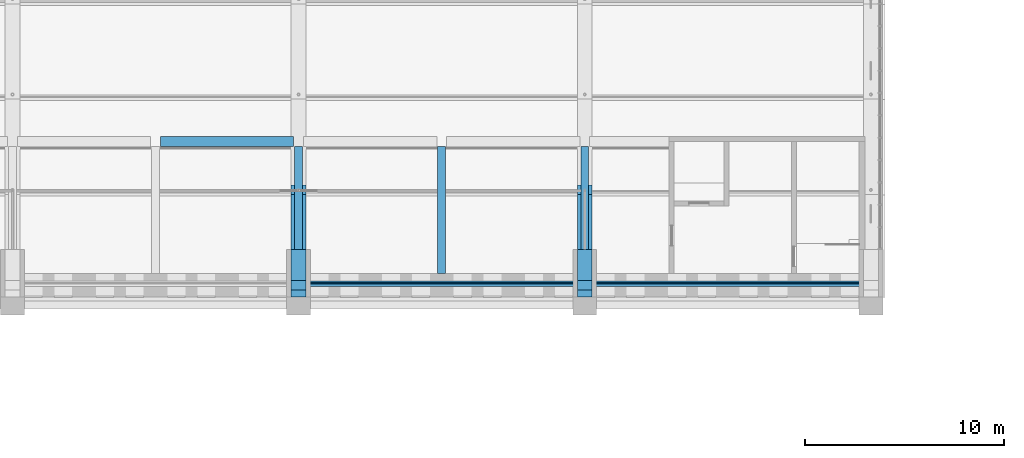
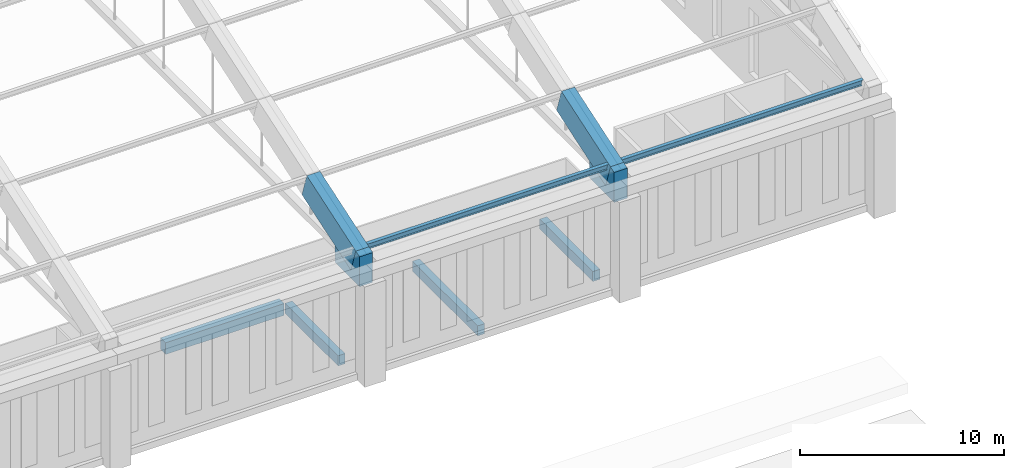
# One storey, part 21 of 149: 6 beams, 4 members.
"""IFC4 building model written with IfcOpenShell, lengths in metres."""

from ifc_helpers import new_model, si_unit, direction, frame, origin, origin_2d, place, context, subcontext, project, spatial, polyline, rectangle, i_section, outline, extrude, material, material_profile, profile_set, type_object, element, save


model = new_model("IFC4")

# Units and contexts
model_context = context("Model", 3, precision=1e-05, world=origin(), true_north=direction((0.0, 1.0)))
body_context = subcontext(model_context, "Body", "Model", "MODEL_VIEW")
ifc_project = project(units=[si_unit("LENGTHUNIT", "METRE"), si_unit("AREAUNIT", "SQUARE_METRE"), si_unit("VOLUMEUNIT", "CUBIC_METRE"), si_unit("PLANEANGLEUNIT", "RADIAN"), si_unit("MASSUNIT", "GRAM", prefix="KILO")], contexts=[model_context])

# Site, building, storey
site_placement = place(None, origin())
site = spatial("IfcSite", under=ifc_project, at=site_placement, CompositionType="ELEMENT")
building_placement = place(site_placement, origin())
building = spatial("IfcBuilding", under=site, at=building_placement, Name="Alderwick Market Hall", CompositionType="ELEMENT")
storey_placement = place(building_placement, frame((0.0, 0.0, 9.60009765625)))
storey = spatial("IfcBuildingStorey", under=building, at=storey_placement, Name="L01", CompositionType="ELEMENT", Elevation=9.60009765625)

# Beams
ifc_material_1 = material(Name="Concrete 5000 psi (f'c 35 MPa)", Category="concrete")
ifc_material_profile_1 = material_profile(ifc_material_1, rectangle(XDim=0.5, YDim=0.699951171875, at=origin_2d()), Name="RC 500x700")
ifc_profile_set_1 = profile_set([ifc_material_profile_1], Name="Concrete 5000 psi (f'c 35 MPa)")
beam_type_1 = type_object("IfcBeamType", Name="H Edge beam 500x700", PredefinedType="BEAM", material=ifc_profile_set_1)
beam_1_placement = place(storey_placement, frame((115.449951171875, 57.639892578125, -0.60009765625), z_axis=(1.0, 0.0, 0.0), x_axis=(0.0, 1.0, 0.0)))
element("IfcBeam", 1, at=beam_1_placement, inside=storey, type_object=beam_type_1, Name="Gallery edge beam S", PredefinedType="BEAM", context=body_context, shape_type="SweptSolid", body=[
    extrude(rectangle(XDim=0.5, YDim=0.699951171875, at=origin_2d()), origin(), (0.0, 0.0, 1.0), 6.699951171875),
])
ifc_material_profile_2 = material_profile(ifc_material_1, rectangle(XDim=0.39990234375, YDim=0.60009765625, at=origin_2d()), Name="RC 400x600")
ifc_profile_set_2 = profile_set([ifc_material_profile_2], Name="Concrete 5000 psi (f'c 35 MPa)")
beam_type_2 = type_object("IfcBeamType", Name="H Gallery beam 400x600", PredefinedType="BEAM", material=ifc_profile_set_2)
beam_2_placement = place(storey_placement, frame((122.39990234375, 52.199951171875, -0.550048828125), z_axis=(0.0, 1.0, 0.0), x_axis=(-1.0, 0.0, 0.0)))
element("IfcBeam", 2, at=beam_2_placement, inside=storey, type_object=beam_type_2, Name="Gallery beam S", PredefinedType="BEAM", context=body_context, shape_type="SweptSolid", body=[
    extrude(rectangle(XDim=0.39990234375, YDim=0.60009765625, at=origin_2d()), origin(), (0.0, 0.0, 1.0), 5.18994140625),
])
beam_3_placement = place(storey_placement, frame((129.60009765625, 51.0, -0.550048828125), z_axis=(0.0, 1.0, 0.0), x_axis=(-1.0, 0.0, 0.0)))
element("IfcBeam", 3, at=beam_3_placement, inside=storey, type_object=beam_type_2, Name="Gallery beam S", PredefinedType="BEAM", context=body_context, shape_type="SweptSolid", body=[
    extrude(rectangle(XDim=0.39990234375, YDim=0.60009765625, at=origin_2d()), origin(), (0.0, 0.0, 1.0), 6.389892578125),
])
beam_4_placement = place(storey_placement, frame((136.800048828125, 52.199951171875, -0.550048828125), z_axis=(0.0, 1.0, 0.0), x_axis=(-1.0, 0.0, 0.0)))
element("IfcBeam", 4, at=beam_4_placement, inside=storey, type_object=beam_type_2, Name="Gallery beam S", PredefinedType="BEAM", context=body_context, shape_type="SweptSolid", body=[
    extrude(rectangle(XDim=0.39990234375, YDim=0.60009765625, at=origin_2d()), origin(), (0.0, 0.0, 1.0), 5.18994140625),
])
ifc_material_profile_3 = material_profile(ifc_material_1, rectangle(XDim=0.75, YDim=1.5, at=origin_2d()), Name="RC 750x1500")
ifc_profile_set_3 = profile_set([ifc_material_profile_3], Name="Concrete 5000 psi (f'c 35 MPa)")
beam_type_3 = type_object("IfcBeamType", Name="R Arch Rib Springing 750x1500", PredefinedType="BEAM", material=ifc_profile_set_3)
for number, where, z_axis, x_axis, name in (
    (5, (122.39990234375, 50.39990234375, 6.599853515625), (0.0, 0.948678472761, 0.316242241517), (-1.0, 0.0, 0.0), "Arch rib 6 chord 1"),
    (6, (136.800048828125, 50.39990234375, 6.599853515625), (0.0, 0.948678472761, 0.316242241517), (-1.0, 0.0, 0.0), "Arch rib 7 chord 1"),
):
    element("IfcBeam", number, at=place(storey_placement, frame(where, z_axis=z_axis, x_axis=x_axis)), inside=storey, type_object=beam_type_3, Name=name, PredefinedType="BEAM", context=body_context, shape_type="SweptSolid", body=[
        extrude(rectangle(XDim=0.75, YDim=1.5, at=origin_2d()), origin(), (0.0, 0.0, 1.0), 5.059814453125),
    ])

# Members
ifc_material_2 = material(Name="Steel ASTM A992 Grade 50", Category="steel")
ifc_material_profile_4 = material_profile(ifc_material_2, i_section(OverallWidth=0.153076171875, OverallDepth=0.455078125, WebThickness=0.008056640625, FlangeThickness=0.01318359375, at=origin_2d()), Name="W18x40")
ifc_profile_set_4 = profile_set([ifc_material_profile_4], Name="Steel ASTM A992 Grade 50")
member_type_1 = type_object("IfcMemberType", Name="R Purlin W18x40", PredefinedType="PURLIN", material=ifc_profile_set_4)
member_1_placement = place(storey_placement, frame((122.77490234375, 50.473876953125, 7.1689453125), z_axis=(1.0, 0.0, 0.0), x_axis=(0.0, 0.948683297073, 0.316227768949)))
element("IfcMember", 7, at=member_1_placement, inside=storey, type_object=member_type_1, Name="Roof purlin 1.6", PredefinedType="PURLIN", context=body_context, shape_type="SweptSolid", body=[
    extrude(i_section(OverallWidth=0.153076171875, OverallDepth=0.455078125, WebThickness=0.008056640625, FlangeThickness=0.01318359375, at=origin_2d()), origin(), (0.0, 0.0, 1.0), 13.650146484375),
])
member_2_placement = place(storey_placement, frame((137.175048828125, 50.473876953125, 7.1689453125), z_axis=(1.0, 0.0, 0.0), x_axis=(0.0, 0.948683297073, 0.316227768949)))
element("IfcMember", 8, at=member_2_placement, inside=storey, type_object=member_type_1, Name="Roof purlin 1.7", PredefinedType="PURLIN", context=body_context, shape_type="SweptSolid", body=[
    extrude(i_section(OverallWidth=0.153076171875, OverallDepth=0.455078125, WebThickness=0.008056640625, FlangeThickness=0.01318359375, at=origin_2d()), origin(), (0.0, 0.0, 1.0), 13.64990234375),
])
ifc_material_profile_5 = material_profile(ifc_material_1, outline(polyline([(0.0, 0.0), (2.39990234375, 0.0), (2.39990234375, 1.009521484375), (0.837158203125, 0.488525390625), (0.36279296875, 1.91162109375), (0.0, 1.79052734375), (0.0, 0.0)])), Name="RC skewback S")
ifc_profile_set_5 = profile_set([ifc_material_profile_5], Name="Concrete 5000 psi (f'c 35 MPa)")
member_type_2 = type_object("IfcMemberType", Name="R Springing Skewback South", PredefinedType="MEMBER", material=ifc_profile_set_5)
for number, where, z_axis, x_axis, name in (
    (9, (122.02490234375, 49.800048828125, 5.39990234375), (1.0, 0.0, 0.0), (0.0, 1.0, 0.0), "Springing skewback S6"),
    (10, (136.425048828125, 49.800048828125, 5.39990234375), (1.0, 0.0, 0.0), (0.0, 1.0, 0.0), "Springing skewback S7"),
):
    element("IfcMember", number, at=place(storey_placement, frame(where, z_axis=z_axis, x_axis=x_axis)), inside=storey, type_object=member_type_2, Name=name, PredefinedType="MEMBER", context=body_context, shape_type="SweptSolid", body=[
        extrude(outline(polyline([(0.0, 0.0), (2.39990234375, 0.0), (2.39990234375, 1.009521484375), (0.837158203125, 0.488525390625), (0.36279296875, 1.91162109375), (0.0, 1.79052734375), (0.0, 0.0)])), origin(), (0.0, 0.0, 1.0), 0.75),
    ])

save(model, "model.ifc")
